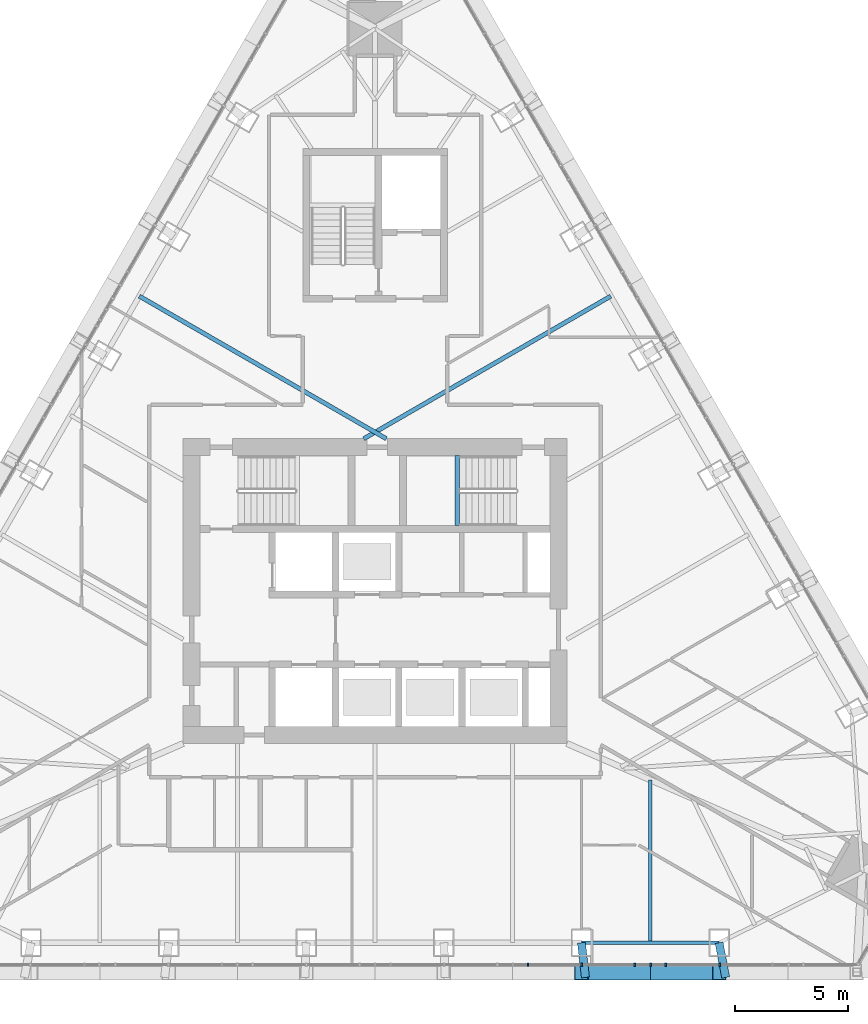
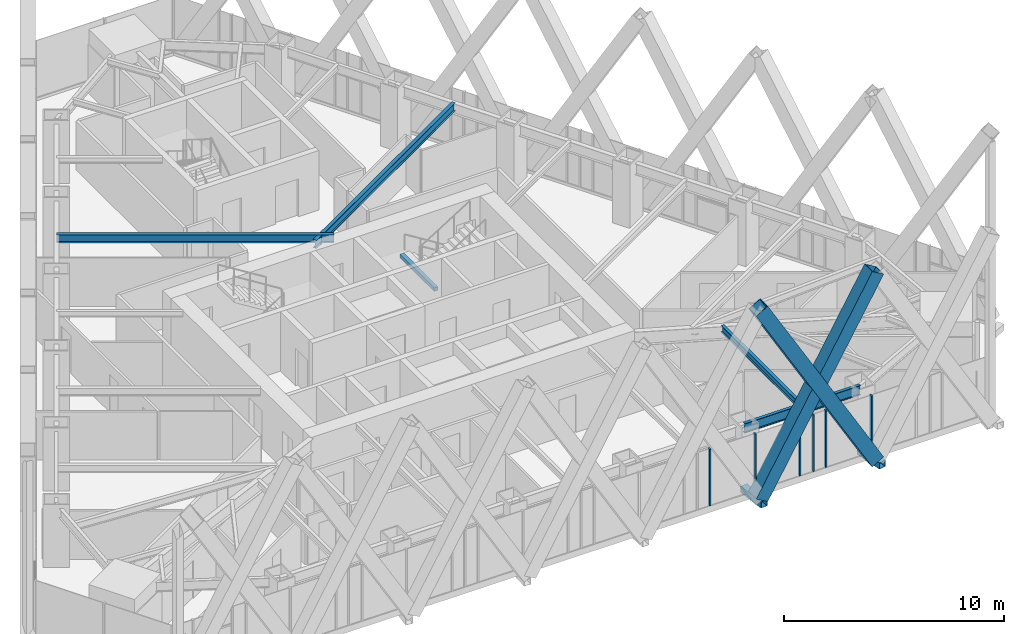
# One storey, part 6 of 23: 10 members, 5 beams, 1 element without a shape of its own.
"""IFC4 building model written with IfcOpenShell, lengths in metres."""

from ifc_helpers import new_model, si_unit, direction, frame, origin, origin_2d, place, context, subcontext, project, spatial, rectangle, hollow_rectangle, i_section, extrude, material, layer, layer_set, material_profile, profile_set, type_object, element, aggregate, save


model = new_model("IFC4")

# Units and contexts
model_context = context("Model", 3, precision=1e-05, world=origin(), true_north=direction((0.0, 1.0)))
body_context = subcontext(model_context, "Body", "Model", "MODEL_VIEW")
ifc_project = project(units=[si_unit("LENGTHUNIT", "METRE"), si_unit("AREAUNIT", "SQUARE_METRE"), si_unit("VOLUMEUNIT", "CUBIC_METRE"), si_unit("PLANEANGLEUNIT", "RADIAN"), si_unit("MASSUNIT", "GRAM", prefix="KILO")], contexts=[model_context])

# Site, building, storey
site_placement = place(None, origin())
site = spatial("IfcSite", under=ifc_project, at=site_placement, CompositionType="ELEMENT")
building_placement = place(site_placement, origin())
building = spatial("IfcBuilding", under=site, at=building_placement, Name="Firuza Gate Tower and Library", CompositionType="ELEMENT")
storey_placement = place(building_placement, frame((0.0, 0.0, 302.10009765625)))
storey = spatial("IfcBuildingStorey", under=building, at=storey_placement, Name="L73", CompositionType="ELEMENT", Elevation=302.10009765625)

# Members
ifc_material_1 = material(Name="Steel S355", Category="steel")
ifc_material_profile_1 = material_profile(ifc_material_1, hollow_rectangle(XDim=0.699951171875, YDim=0.699951171875, WallThickness=0.030029296875, at=origin_2d()))
ifc_profile_set_1 = profile_set([ifc_material_profile_1], Name="Steel S355")
member_type_1 = type_object("IfcMemberType", Name="BU700x700x30 Lattice brace", PredefinedType="BRACE", material=ifc_profile_set_1)
for number, where, z_axis, x_axis, name in (
    (1, (84.14404296875, 58.124755859375, 0.0), (0.502084580661, 0.0, 0.864818520768), (0.0, 1.0, 0.0), "Lattice brace S 19.6R"),
    (2, (90.239990234375, 58.124755859375, 0.0), (-0.502084580661, 0.0, 0.864818520768), (0.0, -1.0, 0.0), "Lattice brace S 19.6L"),
):
    element("IfcMember", number, at=place(storey_placement, frame(where, z_axis=z_axis, x_axis=x_axis)), inside=storey, type_object=member_type_1, Name=name, PredefinedType="BRACE", context=body_context, shape_type="SweptSolid", body=[
        extrude(hollow_rectangle(XDim=0.699951171875, YDim=0.699951171875, WallThickness=0.030029296875, at=origin_2d()), origin(), (0.0, 0.0, 1.0), 12.141357421875),
    ])

# Curtain wall, members
ifc_material_2 = material(Name="Aluminium 6063-T6", Category="aluminium")
ifc_layer = layer(ifc_material_2, 0.14990234375)
ifc_layer_set = layer_set([ifc_layer], Name="Unitised curtain wall, residences")
curtain_wall_type = type_object("IfcCurtainWallType", Name="Unitised curtain wall, residences", PredefinedType="NOTDEFINED", material=ifc_layer_set)
curtain_wall_placement = place(storey_placement, origin())
curtain_wall = element("IfcCurtainWall", 3, at=curtain_wall_placement, inside=storey, type_object=curtain_wall_type, Name="CW3 L73 S face", PredefinedType="NOTDEFINED")
ifc_material_3 = material(Name="Aluminium 6063-T6", Category="aluminium")
ifc_material_profile_2 = material_profile(ifc_material_3, rectangle(XDim=0.14990234375, YDim=0.080078125, at=origin_2d()))
ifc_profile_set_2 = profile_set([ifc_material_profile_2], Name="Aluminium 6063-T6")
member_type_2 = type_object("IfcMemberType", Name="Curtain wall mullion 80x150", PredefinedType="MULLION", material=ifc_profile_set_2)
member_1_placement = place(storey_placement, frame((84.16259765625, 58.44970703125, 0.14990234375), z_axis=(0.0, 0.0, 1.0), x_axis=(0.0, 1.0, 0.0)))
member_1 = element("IfcMember", 4, at=member_1_placement, type_object=member_type_2, Name="Mullion", PredefinedType="MULLION", context=body_context, shape_type="SweptSolid", body=[
    extrude(rectangle(XDim=0.14990234375, YDim=0.080078125, at=origin_2d()), origin(), (0.0, 0.0, 1.0), 3.14990234375),
])
member_2_placement = place(storey_placement, frame((87.216796875, 58.44970703125, 0.14990234375), z_axis=(0.0, 0.0, 1.0), x_axis=(0.0, 1.0, 0.0)))
member_2 = element("IfcMember", 5, at=member_2_placement, type_object=member_type_2, Name="Mullion", PredefinedType="MULLION", context=body_context, shape_type="SweptSolid", body=[
    extrude(rectangle(XDim=0.14990234375, YDim=0.080078125, at=origin_2d()), origin(), (0.0, 0.0, 1.0), 3.14990234375),
])
member_3_placement = place(storey_placement, frame((90.27099609375, 58.44970703125, 0.14990234375), z_axis=(0.0, 0.0, 1.0), x_axis=(0.0, 1.0, 0.0)))
member_3 = element("IfcMember", 6, at=member_3_placement, type_object=member_type_2, Name="Mullion", PredefinedType="MULLION", context=body_context, shape_type="SweptSolid", body=[
    extrude(rectangle(XDim=0.14990234375, YDim=0.080078125, at=origin_2d()), origin(), (0.0, 0.0, 1.0), 3.14990234375),
])
member_4_placement = place(storey_placement, frame((81.7783203125, 58.44970703125, 0.14990234375), z_axis=(0.0, 0.0, 1.0), x_axis=(0.0, 1.0, 0.0)))
member_4 = element("IfcMember", 7, at=member_4_placement, type_object=member_type_2, Name="Mullion", PredefinedType="MULLION", context=body_context, shape_type="SweptSolid", body=[
    extrude(rectangle(XDim=0.14990234375, YDim=0.080078125, at=origin_2d()), origin(), (0.0, 0.0, 1.0), 3.14990234375),
])
member_5_placement = place(storey_placement, frame((86.509521484375, 58.44970703125, 0.14990234375), z_axis=(0.0, 0.0, 1.0), x_axis=(0.0, 1.0, 0.0)))
member_5 = element("IfcMember", 8, at=member_5_placement, type_object=member_type_2, Name="Mullion", PredefinedType="MULLION", context=body_context, shape_type="SweptSolid", body=[
    extrude(rectangle(XDim=0.14990234375, YDim=0.080078125, at=origin_2d()), origin(), (0.0, 0.0, 1.0), 3.14990234375),
])
member_6_placement = place(storey_placement, frame((87.87451171875, 58.44970703125, 0.14990234375), z_axis=(0.0, 0.0, 1.0), x_axis=(0.0, 1.0, 0.0)))
member_6 = element("IfcMember", 9, at=member_6_placement, type_object=member_type_2, Name="Mullion", PredefinedType="MULLION", context=body_context, shape_type="SweptSolid", body=[
    extrude(rectangle(XDim=0.14990234375, YDim=0.080078125, at=origin_2d()), origin(), (0.0, 0.0, 1.0), 3.14990234375),
])
aggregate(curtain_wall, [member_1, member_2, member_3, member_4, member_5, member_6])

# Members
ifc_material_4 = material(Name="Steel S355", Category="steel")
ifc_material_profile_3 = material_profile(ifc_material_4, hollow_rectangle(XDim=0.355712890625, YDim=0.355712890625, WallThickness=0.014892578125, at=origin_2d()))
ifc_profile_set_3 = profile_set([ifc_material_profile_3], Name="Steel S355")
member_type_3 = type_object("IfcMemberType", Name="HSS356x356x16 Lattice node tie", PredefinedType="BRACE", material=ifc_profile_set_3)
member_7_placement = place(storey_placement, frame((84.14404296875, 59.4248046875, -0.320068359375), z_axis=(0.113773560322, -0.993506707059, 0.0), x_axis=(0.993506707059, 0.113773560322, 0.0)))
element("IfcMember", 10, at=member_7_placement, inside=storey, type_object=member_type_3, Name="Lattice node tie S L73 515", PredefinedType="BRACE", context=body_context, shape_type="SweptSolid", body=[
    extrude(hollow_rectangle(XDim=0.355712890625, YDim=0.355712890625, WallThickness=0.014892578125, at=origin_2d()), origin(), (0.0, 0.0, 1.0), 1.547119140625),
])
member_8_placement = place(storey_placement, frame((90.239990234375, 59.4248046875, -0.320068359375), z_axis=(0.187527898809, -0.982259276957, 0.0), x_axis=(0.982259276957, 0.187527898809, 0.0)))
element("IfcMember", 11, at=member_8_placement, inside=storey, type_object=member_type_3, Name="Lattice node tie S L73 516", PredefinedType="BRACE", context=body_context, shape_type="SweptSolid", body=[
    extrude(hollow_rectangle(XDim=0.355712890625, YDim=0.355712890625, WallThickness=0.014892578125, at=origin_2d()), origin(), (0.0, 0.0, 1.0), 1.56494140625),
])

# Beams
ifc_material_5 = material(Name="Concrete C35/45", Category="concrete")
ifc_material_profile_4 = material_profile(ifc_material_5, rectangle(XDim=0.199951171875, YDim=0.199951171875, at=origin_2d()))
ifc_profile_set_4 = profile_set([ifc_material_profile_4], Name="Concrete C35/45")
beam_type_1 = type_object("IfcBeamType", Name="Stair landing bearer 200x200", PredefinedType="BEAM", material=ifc_profile_set_4)
beam_1_placement = place(storey_placement, frame((78.639892578125, 81.0, 1.449951171875), z_axis=(0.0, -1.0, 0.0), x_axis=(1.0, 0.0, 0.0)))
element("IfcBeam", 12, at=beam_1_placement, inside=storey, type_object=beam_type_1, Name="Landing bearer L73 stair 2", PredefinedType="BEAM", context=body_context, shape_type="SweptSolid", body=[
    extrude(rectangle(XDim=0.199951171875, YDim=0.199951171875, at=origin_2d()), origin(), (0.0, 0.0, 1.0), 3.10009765625),
])
ifc_material_6 = material(Name="Steel S355", Category="steel")
ifc_material_profile_5 = material_profile(ifc_material_6, i_section(OverallWidth=0.1708984375, OverallDepth=0.35498046875, WebThickness=0.007080078125, FlangeThickness=0.01171875, at=origin_2d()))
ifc_profile_set_5 = profile_set([ifc_material_profile_5], Name="Steel S355")
beam_type_2 = type_object("IfcBeamType", Name="W360x51 Floor beam", PredefinedType="JOIST", material=ifc_profile_set_5)
beam_2_placement = place(storey_placement, frame((87.19189453125, 59.4248046875, 3.122314453125), z_axis=(0.0, 1.0, 0.0), x_axis=(-1.0, 0.0, 0.0)))
element("IfcBeam", 13, at=beam_2_placement, inside=storey, type_object=beam_type_2, Name="Floor beam L73 s24", PredefinedType="JOIST", context=body_context, shape_type="SweptSolid", body=[
    extrude(i_section(OverallWidth=0.1708984375, OverallDepth=0.35498046875, WebThickness=0.007080078125, FlangeThickness=0.01171875, at=origin_2d()), origin(), (0.0, 0.0, 1.0), 7.2138671875),
])
ifc_material_7 = material(Name="Steel S355", Category="steel")
ifc_material_profile_6 = material_profile(ifc_material_7, i_section(OverallWidth=0.18994140625, OverallDepth=0.45703125, WebThickness=0.009033203125, FlangeThickness=0.014404296875, at=origin_2d()))
ifc_profile_set_6 = profile_set([ifc_material_profile_6], Name="Steel S355")
beam_type_3 = type_object("IfcBeamType", Name="W460x74 Floor beam", PredefinedType="JOIST", material=ifc_profile_set_6)
for number, where, z_axis, x_axis, name in (
    (14, (85.440673828125, 88.06689453125, 3.0712890625), (-0.866029835762, -0.499992323512, 0.0), (0.499992323512, -0.866029835762, 0.0), "Floor beam L73 s53"),
    (15, (64.559326171875, 88.06689453125, 3.0712890625), (0.866029835762, -0.499992323512, 0.0), (0.499992323512, 0.866029835762, 0.0), "Floor beam L73 s81"),
):
    element("IfcBeam", number, at=place(storey_placement, frame(where, z_axis=z_axis, x_axis=x_axis)), inside=storey, type_object=beam_type_3, Name=name, PredefinedType="JOIST", context=body_context, shape_type="SweptSolid", body=[
        extrude(i_section(OverallWidth=0.18994140625, OverallDepth=0.45703125, WebThickness=0.009033203125, FlangeThickness=0.014404296875, at=origin_2d()), origin(), (0.0, 0.0, 1.0), 12.634033203125),
    ])
ifc_material_8 = material(Name="Steel S355", Category="steel")
ifc_material_profile_7 = material_profile(ifc_material_8, i_section(OverallWidth=0.166015625, OverallDepth=0.534912109375, WebThickness=0.01025390625, FlangeThickness=0.0166015625, at=origin_2d()))
ifc_profile_set_7 = profile_set([ifc_material_profile_7], Name="Steel S355")
beam_type_4 = type_object("IfcBeamType", Name="W530x85 Edge beam", PredefinedType="SPANDREL", material=ifc_profile_set_7)
beam_3_placement = place(storey_placement, frame((84.14404296875, 59.4248046875, 3.032470703125), z_axis=(1.0, 0.0, 0.0), x_axis=(0.0, 1.0, 0.0)))
element("IfcBeam", 16, at=beam_3_placement, inside=storey, type_object=beam_type_4, Name="Edge beam L73 e24", PredefinedType="SPANDREL", context=body_context, shape_type="SweptSolid", body=[
    extrude(i_section(OverallWidth=0.166015625, OverallDepth=0.534912109375, WebThickness=0.01025390625, FlangeThickness=0.0166015625, at=origin_2d()), origin(), (0.0, 0.0, 1.0), 6.095947265625),
])

save(model, "model.ifc")
